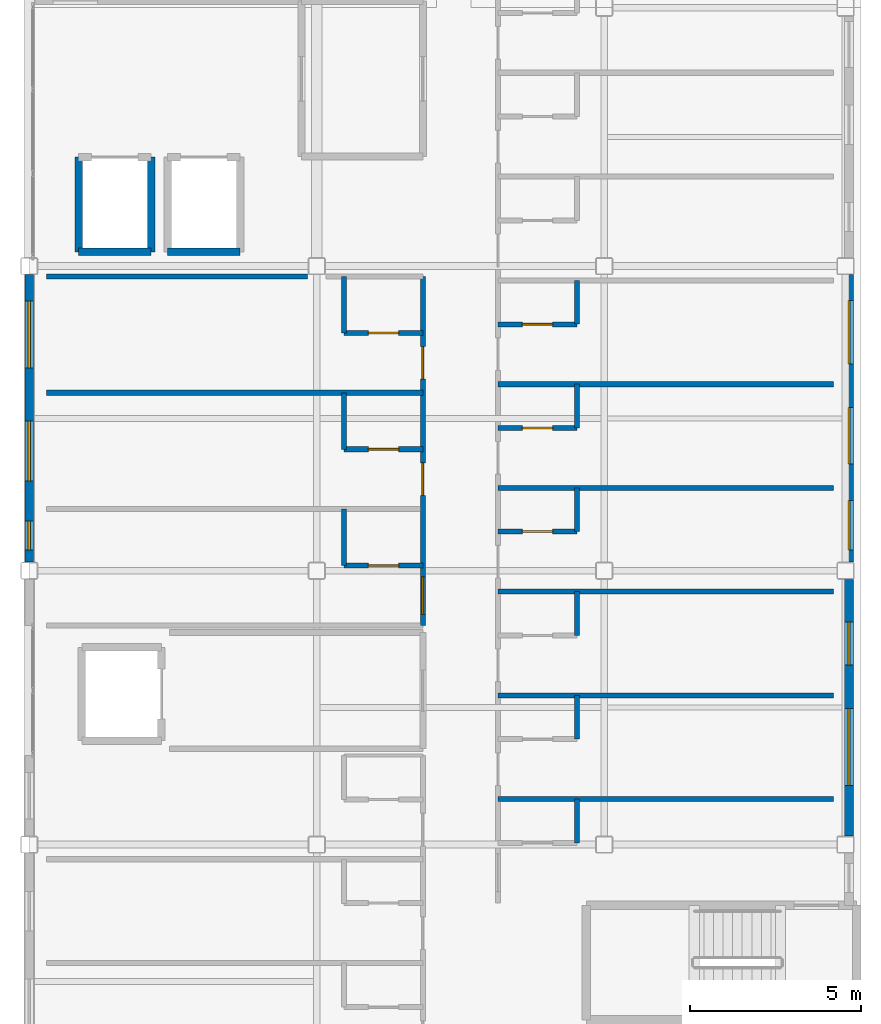
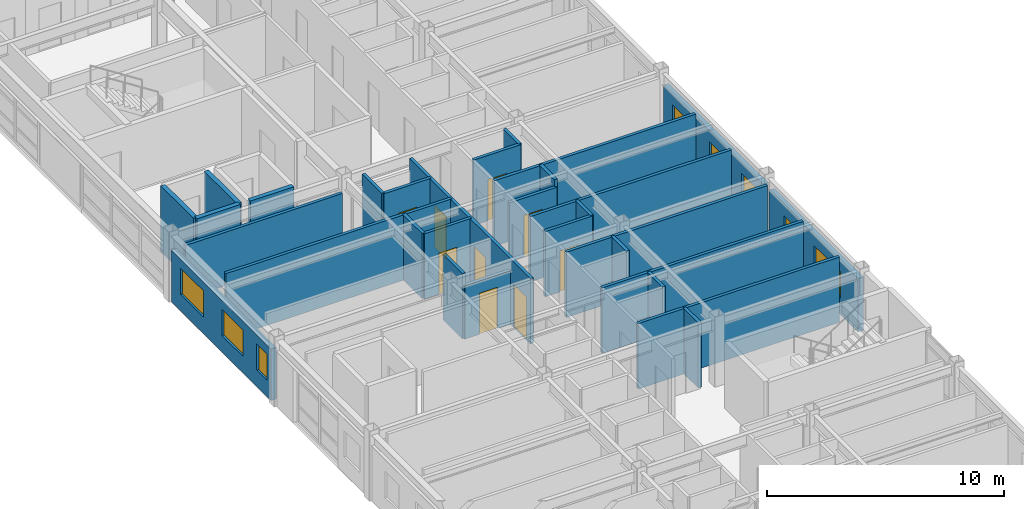
# One storey, part 25 of 33: 30 walls, 9 doors, 8 windows, 17 openings.
"""IFC4 building model written with IfcOpenShell, lengths in metres."""

import ifcopenshell
import ifcopenshell.guid

model = None  # the IFC model being written
_history = None  # IfcOwnerHistory: only IFC2X3 demands one
_inside = {}  # id of a spatial element -> (the spatial element, [elements in it])
_under = {}  # id of a project, library or spatial element -> (it, [spatial elements below it])
_declared = {}  # id of a project -> (the project, [libraries it declares])
_typed = {}  # id of a type object -> (the type object, [elements of that type])
_made_of = {}  # id of a material, layer set ... -> (it, [elements and type objects made of it])


def new_model(schema):
    """Start an empty IFC model of exactly this schema.

    Asked for "IFC4X3", IfcOpenShell would pick the latest addendum, in which some entities
    have other attributes; the version numbers below select the first issue.
    IFC2X3 requires an IfcOwnerHistory on every rooted entity: one is made here for all.
    """
    global model, _history
    if schema == "IFC4X3":
        model = ifcopenshell.file(schema_version=(4, 3, 0, 0))
    else:
        model = ifcopenshell.file(schema=schema)
    _inside.clear()
    _under.clear()
    _declared.clear()
    _typed.clear()
    _made_of.clear()
    _history = None
    if model.schema == "IFC2X3":
        org = make("IfcOrganization", Name="unknown")
        user = make(
            "IfcPersonAndOrganization",
            ThePerson=make("IfcPerson", FamilyName="unknown"),
            TheOrganization=org,
        )
        app = make(
            "IfcApplication",
            ApplicationDeveloper=org,
            Version="unknown",
            ApplicationFullName="unknown",
            ApplicationIdentifier="unknown",
        )
        _history = make(
            "IfcOwnerHistory",
            OwningUser=user,
            OwningApplication=app,
            ChangeAction="ADDED",
            CreationDate=0,
        )
    return model


def make(cls, **values):
    """One entity of the class cls with the attributes given. An attribute that is None is left unset."""
    return model.create_entity(
        cls, **{name: value for name, value in values.items() if value is not None}
    )


def rooted(cls, **values):
    """An entity with a GlobalId (a new one), such as an element, a storey or a relation."""
    return make(cls, GlobalId=ifcopenshell.guid.new(), OwnerHistory=_history, **values)


def si_unit(unit_type, name, prefix=None):
    """IfcSIUnit, for example si_unit("LENGTHUNIT", "METRE", prefix="MILLI")."""
    return make("IfcSIUnit", UnitType=unit_type, Prefix=prefix, Name=name)


def assignment(units):
    """IfcUnitAssignment: the units of a project."""
    return None if units is None else make("IfcUnitAssignment", Units=units)


def point(xyz):
    """IfcCartesianPoint."""
    return None if xyz is None else make("IfcCartesianPoint", Coordinates=xyz)


def direction(xyz):
    """IfcDirection."""
    return None if xyz is None else make("IfcDirection", DirectionRatios=xyz)


def frame(location, z_axis=None, x_axis=None):
    """IfcAxis2Placement3D, a coordinate frame: its origin and axes. An axis left out is left unset."""
    return make(
        "IfcAxis2Placement3D",
        Location=point(location),
        Axis=direction(z_axis),
        RefDirection=direction(x_axis),
    )


def frame_2d(location, x_axis=None):
    """IfcAxis2Placement2D, a coordinate frame in the plane: its origin and x axis."""
    return make(
        "IfcAxis2Placement2D", Location=point(location), RefDirection=direction(x_axis)
    )


def origin():
    """The frame at (0, 0, 0) with its axes left unset."""
    return frame((0.0, 0.0, 0.0))


def place(relative_to, where):
    """IfcLocalPlacement: puts the frame where relative to a parent placement (None: the world)."""
    return make(
        "IfcLocalPlacement", PlacementRelTo=relative_to, RelativePlacement=where
    )


def context(
    kind, dimensions, precision=None, world=None, true_north=None, identifier=None
):
    """IfcGeometricRepresentationContext, for example the 3D "Model" context."""
    return make(
        "IfcGeometricRepresentationContext",
        ContextIdentifier=identifier,
        ContextType=kind,
        CoordinateSpaceDimension=dimensions,
        Precision=precision,
        WorldCoordinateSystem=world,
        TrueNorth=true_north,
    )


def subcontext(parent, identifier, kind, view, scale=None):
    """IfcGeometricRepresentationSubContext, for example "Body" below "Model"."""
    return make(
        "IfcGeometricRepresentationSubContext",
        ContextIdentifier=identifier,
        ContextType=kind,
        ParentContext=parent,
        TargetScale=scale,
        TargetView=view,
    )


def project(units=None, contexts=None):
    """IfcProject with its units and contexts."""
    return rooted(
        "IfcProject",
        Name="project",
        RepresentationContexts=contexts,
        UnitsInContext=assignment(units),
    )


def spatial(cls, under=None, at=None, **own):
    """A site, building, storey or space (cls), placed at a placement, below another one or the project."""
    s = rooted(cls, ObjectPlacement=at, **own)
    if under is not None:
        _under.setdefault(under.id(), (under, []))[1].append(s)
    return s


def profile(cls, at=None, kind="AREA", **sizes):
    """A parametric profile (cls). Its sizes go by their IFC names, for example OverallWidth=200.0."""
    return make(cls, ProfileType=kind, Position=at, **sizes)


def rectangle(**sizes):
    """IfcRectangleProfileDef."""
    return profile("IfcRectangleProfileDef", **sizes)


def extrude(swept, where, along, depth):
    """IfcExtrudedAreaSolid: the profile swept, set in the frame where, extruded along a direction by depth."""
    return make(
        "IfcExtrudedAreaSolid",
        SweptArea=swept,
        Position=where,
        ExtrudedDirection=direction(along),
        Depth=depth,
    )


def shape(context_of_items, identifier, shape_type, items):
    """IfcShapeRepresentation: the items that make up one representation, for example the "Body"."""
    return make(
        "IfcShapeRepresentation",
        ContextOfItems=context_of_items,
        RepresentationIdentifier=identifier,
        RepresentationType=shape_type,
        Items=items,
    )


def material(Name=None, Category=None):
    """IfcMaterial."""
    return make("IfcMaterial", Name=Name, Category=Category)


def layer(
    of_material, thickness, ventilated=None, Name=None, Category=None, Priority=None
):
    """IfcMaterialLayer: one layer of a wall or slab, of a material (None: an air gap)."""
    return make(
        "IfcMaterialLayer",
        Material=of_material,
        LayerThickness=thickness,
        IsVentilated=ventilated,
        Name=Name,
        Category=Category,
        Priority=Priority,
    )


def layer_set(layers, Name=None):
    """IfcMaterialLayerSet."""
    return make("IfcMaterialLayerSet", MaterialLayers=layers, LayerSetName=Name)


def made_of(thing, what):
    """Note that an element or type object is made of a material, layer set ...; save() writes the relation."""
    if what is not None:
        _made_of.setdefault(what.id(), (what, []))[1].append(thing)
    return thing


def type_object(cls, material=None, **own):
    """A type object (cls), such as IfcWallType, which elements share."""
    return made_of(rooted(cls, **own), material)


def element(
    cls,
    number,
    at=None,
    inside=None,
    cuts=None,
    type_object=None,
    material=None,
    context=None,
    identifier="Body",
    shape_type=None,
    held_by="IfcProductDefinitionShape",
    body=None,
    shapes=None,
    **own,
):
    """One element of the class cls, such as IfcWall. Its Tag is "e" and its number.

    at: its placement. inside: the storey or other place that contains it. cuts: it is an
    opening in that element (IfcRelVoidsElement). A single representation is given by context,
    identifier, shape_type and body (its items); several are given by shapes. held_by: the class
    of the entity that holds the representations. save() writes the other relations.
    """
    e = rooted(cls, Tag="e%d" % number, ObjectPlacement=at, **own)
    if body is not None:
        shapes = [shape(context, identifier, shape_type, body)]
    if shapes is not None:
        e.Representation = make(held_by, Representations=shapes)
    if inside is not None:
        _inside.setdefault(inside.id(), (inside, []))[1].append(e)
    if cuts is not None:
        rooted(
            "IfcRelVoidsElement", RelatingBuildingElement=cuts, RelatedOpeningElement=e
        )
    if type_object is not None:
        _typed.setdefault(type_object.id(), (type_object, []))[1].append(e)
    return made_of(e, material)


def fill(opening, filler):
    """IfcRelFillsElement: the door or window that sits in an opening."""
    return rooted(
        "IfcRelFillsElement",
        RelatingOpeningElement=opening,
        RelatedBuildingElement=filler,
    )


def aggregate(whole, parts):
    """IfcRelAggregates: a whole, such as a stair, and the parts it consists of."""
    return rooted("IfcRelAggregates", RelatingObject=whole, RelatedObjects=parts)


def save(model, path):
    """Write the relations noted so far, then the file.

    IfcRelAggregates (storeys below a building ...), IfcRelContainedInSpatialStructure (elements
    in a storey), IfcRelDefinesByType, IfcRelAssociatesMaterial and IfcRelDeclares: one each for
    every whole, place, type object, material and project.
    """
    for whole, parts in _under.values():
        aggregate(whole, parts)
    for where, things in _inside.values():
        rooted(
            "IfcRelContainedInSpatialStructure",
            RelatedElements=things,
            RelatingStructure=where,
        )
    for kind, things in _typed.values():
        rooted("IfcRelDefinesByType", RelatedObjects=things, RelatingType=kind)
    for what, things in _made_of.values():
        rooted("IfcRelAssociatesMaterial", RelatedObjects=things, RelatingMaterial=what)
    for by, libraries in _declared.values():
        rooted("IfcRelDeclares", RelatingContext=by, RelatedDefinitions=libraries)
    model.write(path)


model = new_model("IFC4")

# Units and contexts
model_context = context("Model", 3, precision=1e-05, world=origin(), true_north=direction((0.0, 1.0)))
body_context = subcontext(model_context, "Body", "Model", "MODEL_VIEW")
ifc_project = project(units=[si_unit("LENGTHUNIT", "METRE"), si_unit("AREAUNIT", "SQUARE_METRE"), si_unit("VOLUMEUNIT", "CUBIC_METRE"), si_unit("PLANEANGLEUNIT", "RADIAN"), si_unit("MASSUNIT", "GRAM", prefix="KILO")], contexts=[model_context])

# Site, building, storey
site_placement = place(None, origin())
site = spatial("IfcSite", under=ifc_project, at=site_placement, CompositionType="ELEMENT")
building_placement = place(site_placement, origin())
building = spatial("IfcBuilding", under=site, at=building_placement, Name="Kazehara Bluff Congress Hotel", CompositionType="ELEMENT")
storey_placement = place(building_placement, frame((0.0, 0.0, 39.0)))
storey = spatial("IfcBuildingStorey", under=building, at=storey_placement, Name="L09", CompositionType="ELEMENT", Elevation=39.0)

# Wall, openings, windows
ifc_material_1 = material(Name="Precast concrete C40/50", Category="concrete")
ifc_layer_1 = layer(ifc_material_1, 0.260009765625)
ifc_layer_set_1 = layer_set([ifc_layer_1], Name="Precast concrete C40/50")
wall_type_1 = type_object("IfcWallType", Name="TP-EW-260", PredefinedType="SOLIDWALL", material=ifc_layer_set_1)
wall_1_placement = place(storey_placement, frame((167.64990234375, 31.75, 0.0), z_axis=(0.0, 0.0, 1.0), x_axis=(0.0, -1.0, 0.0)))
wall_1 = element("IfcWall", 1, at=wall_1_placement, inside=storey, type_object=wall_type_1, Name="L09 hotel facade panel 132", PredefinedType="SOLIDWALL", context=body_context, shape_type="SweptSolid", body=[
    extrude(rectangle(XDim=7.5, YDim=0.260009765625, at=frame_2d((3.75, 0.0))), origin(), (0.0, 0.0, 1.0), 2.7548828125),
])
opening_1_placement = place(wall_1_placement, frame((3.780029296875, 0.0, 0.85009765625)))
opening_1 = element("IfcOpeningElement", 2, at=opening_1_placement, cuts=wall_1, Name="Opening WN-51", PredefinedType="OPENING", context=body_context, shape_type="SweptSolid", body=[
    extrude(rectangle(XDim=2.25, YDim=1.35009765625, at=frame_2d((1.125, 0.675048828125))), frame((0.0, 0.139892578125, 0.0), z_axis=(0.0, -1.0, 0.0), x_axis=(1.0, 0.0, 0.0)), (0.0, 0.0, 1.0), 0.280029296875),
])
opening_2_placement = place(wall_1_placement, frame((1.25, 0.0, 0.85009765625)))
opening_2 = element("IfcOpeningElement", 3, at=opening_2_placement, cuts=wall_1, Name="Opening WN-06", PredefinedType="OPENING", context=body_context, shape_type="SweptSolid", body=[
    extrude(rectangle(XDim=1.25, YDim=1.35009765625, at=frame_2d((0.625, 0.675048828125))), frame((0.0, 0.139892578125, 0.0), z_axis=(0.0, -1.0, 0.0), x_axis=(1.0, 0.0, 0.0)), (0.0, 0.0, 1.0), 0.280029296875),
])
ifc_material_2 = material(Name="Insulated low-E double glazing", Category="glass")
window_type_1 = type_object("IfcWindowType", Name="TP-WN-06", PartitioningType="SINGLE_PANEL", PredefinedType="WINDOW", material=ifc_material_2)
window_1_placement = place(opening_2_placement, origin())
window_1 = element("IfcWindow", 4, at=window_1_placement, inside=storey, type_object=window_type_1, Name="L09 guestroom window WN-06 258", OverallHeight=1.35009765625, OverallWidth=1.25, PartitioningType="SINGLE_PANEL", PredefinedType="WINDOW", context=body_context, shape_type="SweptSolid", body=[
    extrude(rectangle(XDim=1.25, YDim=1.35009765625, at=frame_2d((0.625, 0.675048828125))), frame((0.0, 0.030029296875, 0.0), z_axis=(0.0, -1.0, 0.0), x_axis=(1.0, 0.0, 0.0)), (0.0, 0.0, 1.0), 0.06005859375),
])
fill(opening_2, window_1)
ifc_material_3 = material(Name="Insulated low-E double glazing", Category="glass")
window_type_2 = type_object("IfcWindowType", Name="TP-WN-51", PartitioningType="DOUBLE_PANEL_VERTICAL", PredefinedType="WINDOW", material=ifc_material_3)
window_2_placement = place(opening_1_placement, origin())
window_2 = element("IfcWindow", 5, at=window_2_placement, inside=storey, type_object=window_type_2, Name="L09 guestroom window WN-51 257", OverallHeight=1.35009765625, OverallWidth=2.25, PartitioningType="SINGLE_PANEL", PredefinedType="WINDOW", context=body_context, shape_type="SweptSolid", body=[
    extrude(rectangle(XDim=2.25, YDim=1.35009765625, at=frame_2d((1.125, 0.675048828125))), frame((0.0, 0.030029296875, 0.0), z_axis=(0.0, -1.0, 0.0), x_axis=(1.0, 0.0, 0.0)), (0.0, 0.0, 1.0), 0.06005859375),
])
fill(opening_1, window_2)

wall_2_placement = place(storey_placement, frame((167.64990234375, 40.64990234375, 0.0), z_axis=(0.0, 0.0, 1.0), x_axis=(0.0, -1.0, 0.0)))
wall_2 = element("IfcWall", 6, at=wall_2_placement, inside=storey, type_object=wall_type_1, Name="L09 hotel facade panel 133", PredefinedType="SOLIDWALL", context=body_context, shape_type="SweptSolid", body=[
    extrude(rectangle(XDim=8.39990234375, YDim=0.260009765625, at=frame_2d((4.199951171875, 0.0))), origin(), (0.0, 0.0, 1.0), 2.7548828125),
])
opening_3_placement = place(wall_2_placement, frame((6.590087890625, 0.0, 0.85009765625)))
opening_3 = element("IfcOpeningElement", 7, at=opening_3_placement, cuts=wall_2, Name="Opening WN-16", PredefinedType="OPENING", context=body_context, shape_type="SweptSolid", body=[
    extrude(rectangle(XDim=1.449951171875, YDim=1.35009765625, at=frame_2d((0.72509765625, 0.675048828125))), frame((0.0, 0.139892578125, 0.0), z_axis=(0.0, -1.0, 0.0), x_axis=(1.0, 0.0, 0.0)), (0.0, 0.0, 1.0), 0.280029296875),
])
opening_4_placement = place(wall_2_placement, frame((3.885009765625, 0.0, 0.85009765625)))
opening_4 = element("IfcOpeningElement", 8, at=opening_4_placement, cuts=wall_2, Name="Opening WN-26", PredefinedType="OPENING", context=body_context, shape_type="SweptSolid", body=[
    extrude(rectangle(XDim=1.64990234375, YDim=1.35009765625, at=frame_2d((0.824951171875, 0.675048828125))), frame((0.0, 0.139892578125, 0.0), z_axis=(0.0, -1.0, 0.0), x_axis=(1.0, 0.0, 0.0)), (0.0, 0.0, 1.0), 0.280029296875),
])
opening_5_placement = place(wall_2_placement, frame((0.7548828125, 0.0, 0.85009765625)))
opening_5 = element("IfcOpeningElement", 9, at=opening_5_placement, cuts=wall_2, Name="Opening WN-36", PredefinedType="OPENING", context=body_context, shape_type="SweptSolid", body=[
    extrude(rectangle(XDim=1.85009765625, YDim=1.35009765625, at=frame_2d((0.925048828125, 0.675048828125))), frame((0.0, 0.139892578125, 0.0), z_axis=(0.0, -1.0, 0.0), x_axis=(1.0, 0.0, 0.0)), (0.0, 0.0, 1.0), 0.280029296875),
])
ifc_material_4 = material(Name="Insulated low-E double glazing", Category="glass")
window_type_3 = type_object("IfcWindowType", Name="TP-WN-16", PartitioningType="SINGLE_PANEL", PredefinedType="WINDOW", material=ifc_material_4)
window_3_placement = place(opening_3_placement, origin())
window_3 = element("IfcWindow", 10, at=window_3_placement, inside=storey, type_object=window_type_3, Name="L09 guestroom window WN-16 259", OverallHeight=1.35009765625, OverallWidth=1.449951171875, PartitioningType="SINGLE_PANEL", PredefinedType="WINDOW", context=body_context, shape_type="SweptSolid", body=[
    extrude(rectangle(XDim=1.449951171875, YDim=1.35009765625, at=frame_2d((0.72509765625, 0.675048828125))), frame((0.0, 0.030029296875, 0.0), z_axis=(0.0, -1.0, 0.0), x_axis=(1.0, 0.0, 0.0)), (0.0, 0.0, 1.0), 0.06005859375),
])
fill(opening_3, window_3)
ifc_material_5 = material(Name="Insulated low-E double glazing", Category="glass")
window_type_4 = type_object("IfcWindowType", Name="TP-WN-26", PartitioningType="SINGLE_PANEL", PredefinedType="WINDOW", material=ifc_material_5)
window_4_placement = place(opening_4_placement, origin())
window_4 = element("IfcWindow", 11, at=window_4_placement, inside=storey, type_object=window_type_4, Name="L09 guestroom window WN-26 260", OverallHeight=1.35009765625, OverallWidth=1.64990234375, PartitioningType="SINGLE_PANEL", PredefinedType="WINDOW", context=body_context, shape_type="SweptSolid", body=[
    extrude(rectangle(XDim=1.64990234375, YDim=1.35009765625, at=frame_2d((0.824951171875, 0.675048828125))), frame((0.0, 0.030029296875, 0.0), z_axis=(0.0, -1.0, 0.0), x_axis=(1.0, 0.0, 0.0)), (0.0, 0.0, 1.0), 0.06005859375),
])
fill(opening_4, window_4)
ifc_material_6 = material(Name="Insulated low-E double glazing", Category="glass")
window_type_5 = type_object("IfcWindowType", Name="TP-WN-36", PartitioningType="DOUBLE_PANEL_VERTICAL", PredefinedType="WINDOW", material=ifc_material_6)
window_5_placement = place(opening_5_placement, origin())
window_5 = element("IfcWindow", 12, at=window_5_placement, inside=storey, type_object=window_type_5, Name="L09 guestroom window WN-36 261", OverallHeight=1.35009765625, OverallWidth=1.85009765625, PartitioningType="SINGLE_PANEL", PredefinedType="WINDOW", context=body_context, shape_type="SweptSolid", body=[
    extrude(rectangle(XDim=1.85009765625, YDim=1.35009765625, at=frame_2d((0.925048828125, 0.675048828125))), frame((0.0, 0.030029296875, 0.0), z_axis=(0.0, -1.0, 0.0), x_axis=(1.0, 0.0, 0.0)), (0.0, 0.0, 1.0), 0.06005859375),
])
fill(opening_5, window_5)

wall_3_placement = place(storey_placement, frame((143.699951171875, 32.25, 0.0), z_axis=(0.0, 0.0, 1.0), x_axis=(0.0, 1.0, 0.0)))
wall_3 = element("IfcWall", 13, at=wall_3_placement, inside=storey, type_object=wall_type_1, Name="L09 hotel facade panel 144", PredefinedType="SOLIDWALL", context=body_context, shape_type="SweptSolid", body=[
    extrude(rectangle(XDim=8.39990234375, YDim=0.260009765625, at=frame_2d((4.199951171875, 0.0))), origin(), (0.0, 0.0, 1.0), 2.655029296875),
])
opening_6_placement = place(wall_3_placement, frame((0.35009765625, 0.0, 0.85009765625)))
opening_6 = element("IfcOpeningElement", 14, at=opening_6_placement, cuts=wall_3, Name="Opening WN-55", PredefinedType="OPENING", context=body_context, shape_type="SweptSolid", body=[
    extrude(rectangle(XDim=0.85009765625, YDim=1.35009765625, at=frame_2d((0.425048828125, 0.675048828125))), frame((0.0, 0.139892578125, 0.0), z_axis=(0.0, -1.0, 0.0), x_axis=(1.0, 0.0, 0.0)), (0.0, 0.0, 1.0), 0.280029296875),
])
opening_7_placement = place(wall_3_placement, frame((2.375, 0.0, 0.85009765625)))
opening_7 = element("IfcOpeningElement", 15, at=opening_7_placement, cuts=wall_3, Name="Opening WN-31", PredefinedType="OPENING", context=body_context, shape_type="SweptSolid", body=[
    extrude(rectangle(XDim=1.75, YDim=1.35009765625, at=frame_2d((0.875, 0.675048828125))), frame((0.0, 0.139892578125, 0.0), z_axis=(0.0, -1.0, 0.0), x_axis=(1.0, 0.0, 0.0)), (0.0, 0.0, 1.0), 0.280029296875),
])
opening_8_placement = place(wall_3_placement, frame((5.675048828125, 0.0, 0.85009765625)))
opening_8 = element("IfcOpeningElement", 16, at=opening_8_placement, cuts=wall_3, Name="Opening WN-41", PredefinedType="OPENING", context=body_context, shape_type="SweptSolid", body=[
    extrude(rectangle(XDim=1.949951171875, YDim=1.35009765625, at=frame_2d((0.97509765625, 0.675048828125))), frame((0.0, 0.139892578125, 0.0), z_axis=(0.0, -1.0, 0.0), x_axis=(1.0, 0.0, 0.0)), (0.0, 0.0, 1.0), 0.280029296875),
])
ifc_material_7 = material(Name="Insulated low-E double glazing", Category="glass")
window_type_6 = type_object("IfcWindowType", Name="TP-WN-31", PartitioningType="SINGLE_PANEL", PredefinedType="WINDOW", material=ifc_material_7)
window_6_placement = place(opening_7_placement, origin())
window_6 = element("IfcWindow", 17, at=window_6_placement, inside=storey, type_object=window_type_6, Name="L09 guestroom window WN-31 281", OverallHeight=1.35009765625, OverallWidth=1.75, PartitioningType="SINGLE_PANEL", PredefinedType="WINDOW", context=body_context, shape_type="SweptSolid", body=[
    extrude(rectangle(XDim=1.75, YDim=1.35009765625, at=frame_2d((0.875, 0.675048828125))), frame((0.0, 0.030029296875, 0.0), z_axis=(0.0, -1.0, 0.0), x_axis=(1.0, 0.0, 0.0)), (0.0, 0.0, 1.0), 0.06005859375),
])
fill(opening_7, window_6)
ifc_material_8 = material(Name="Insulated low-E double glazing", Category="glass")
window_type_7 = type_object("IfcWindowType", Name="TP-WN-41", PartitioningType="DOUBLE_PANEL_VERTICAL", PredefinedType="WINDOW", material=ifc_material_8)
window_7_placement = place(opening_8_placement, origin())
window_7 = element("IfcWindow", 18, at=window_7_placement, inside=storey, type_object=window_type_7, Name="L09 guestroom window WN-41 282", OverallHeight=1.35009765625, OverallWidth=1.949951171875, PartitioningType="SINGLE_PANEL", PredefinedType="WINDOW", context=body_context, shape_type="SweptSolid", body=[
    extrude(rectangle(XDim=1.949951171875, YDim=1.35009765625, at=frame_2d((0.97509765625, 0.675048828125))), frame((0.0, 0.030029296875, 0.0), z_axis=(0.0, -1.0, 0.0), x_axis=(1.0, 0.0, 0.0)), (0.0, 0.0, 1.0), 0.06005859375),
])
fill(opening_8, window_7)
ifc_material_9 = material(Name="Insulated low-E double glazing", Category="glass")
window_type_8 = type_object("IfcWindowType", Name="TP-WN-55", PartitioningType="SINGLE_PANEL", PredefinedType="WINDOW", material=ifc_material_9)
window_8_placement = place(opening_6_placement, origin())
window_8 = element("IfcWindow", 19, at=window_8_placement, inside=storey, type_object=window_type_8, Name="L09 guestroom window WN-55 280", OverallHeight=1.35009765625, OverallWidth=0.85009765625, PartitioningType="SINGLE_PANEL", PredefinedType="WINDOW", context=body_context, shape_type="SweptSolid", body=[
    extrude(rectangle(XDim=0.85009765625, YDim=1.35009765625, at=frame_2d((0.425048828125, 0.675048828125))), frame((0.0, 0.030029296875, 0.0), z_axis=(0.0, -1.0, 0.0), x_axis=(1.0, 0.0, 0.0)), (0.0, 0.0, 1.0), 0.06005859375),
])
fill(opening_6, window_8)

# Walls
ifc_material_10 = material(Name="Fire-rated gypsum board stud partition")
ifc_layer_2 = layer(ifc_material_10, 0.14990234375)
ifc_layer_set_2 = layer_set([ifc_layer_2], Name="Fire-rated gypsum board stud partition")
wall_type_2 = type_object("IfcWallType", Name="TP-PT-150", PredefinedType="PARTITIONING", material=ifc_layer_set_2)
for number, where, z_axis, x_axis, name in (
    (20, (157.39990234375, 25.330078125, 0.0), (0.0, 0.0, 1.0), (1.0, 0.0, 0.0), "L09 partition PT-150 1184"),
    (21, (157.39990234375, 28.360107421875, 0.0), (0.0, 0.0, 1.0), (1.0, 0.0, 0.0), "L09 partition PT-150 1188"),
    (22, (157.39990234375, 31.389892578125, 0.0), (0.0, 0.0, 1.0), (1.0, 0.0, 0.0), "L09 partition PT-150 1192"),
):
    element("IfcWall", number, at=place(storey_placement, frame(where, z_axis=z_axis, x_axis=x_axis)), inside=storey, type_object=wall_type_2, Name=name, PredefinedType="PARTITIONING", context=body_context, shape_type="SweptSolid", body=[
        extrude(rectangle(XDim=9.800048828125, YDim=0.14990234375, at=frame_2d((4.89990234375, 0.0))), origin(), (0.0, 0.0, 1.0), 3.364990234375),
    ])

# Wall, opening, door
wall_4_placement = place(storey_placement, frame((152.89990234375, 32.14990234375, 0.0), z_axis=(0.0, 0.0, 1.0), x_axis=(1.0, 0.0, 0.0)))
wall_4 = element("IfcWall", 23, at=wall_4_placement, inside=storey, type_object=wall_type_2, Name="L09 partition PT-150 1193", PredefinedType="PARTITIONING", context=body_context, shape_type="SweptSolid", body=[
    extrude(rectangle(XDim=2.300048828125, YDim=0.14990234375, at=frame_2d((1.14990234375, 0.0))), origin(), (0.0, 0.0, 1.0), 2.7548828125),
])
opening_9_placement = place(wall_4_placement, frame((0.7099609375, 0.0, 0.0)))
opening_9 = element("IfcOpeningElement", 24, at=opening_9_placement, cuts=wall_4, Name="Opening BD-02", PredefinedType="OPENING", context=body_context, shape_type="SweptSolid", body=[
    extrude(rectangle(XDim=0.8798828125, YDim=2.1201171875, at=frame_2d((0.43994140625, 1.06005859375))), frame((0.0, 0.0849609375, 0.0), z_axis=(0.0, -1.0, 0.0), x_axis=(1.0, 0.0, 0.0)), (0.0, 0.0, 1.0), 0.169921875),
])
ifc_material_11 = material(Name="Architectural oak veneer leaf")
door_type_1 = type_object("IfcDoorType", Name="TP-BD-02", OperationType="NOTDEFINED", PredefinedType="DOOR", material=ifc_material_11)
door_1_placement = place(opening_9_placement, origin())
door_1 = element("IfcDoor", 25, at=door_1_placement, inside=storey, type_object=door_type_1, Name="L09 En-suite Bathroom 259 door", OperationType="SINGLE_SWING_RIGHT", OverallHeight=2.1201171875, OverallWidth=0.8798828125, PredefinedType="DOOR", context=body_context, shape_type="SweptSolid", body=[
    extrude(rectangle(XDim=0.8798828125, YDim=2.1201171875, at=frame_2d((0.43994140625, 1.06005859375))), frame((0.0, 0.02490234375, 0.0), z_axis=(0.0, -1.0, 0.0), x_axis=(1.0, 0.0, 0.0)), (0.0, 0.0, 1.0), 0.050048828125),
])
fill(opening_9, door_1)

wall_5_placement = place(storey_placement, frame((157.39990234375, 33.14990234375, 0.0), z_axis=(0.0, 0.0, 1.0), x_axis=(1.0, 0.0, 0.0)))
wall_5 = element("IfcWall", 26, at=wall_5_placement, inside=storey, type_object=wall_type_2, Name="L09 partition PT-150 1194", PredefinedType="PARTITIONING", context=body_context, shape_type="SweptSolid", body=[
    extrude(rectangle(XDim=2.300048828125, YDim=0.14990234375, at=frame_2d((1.14990234375, 0.0))), origin(), (0.0, 0.0, 1.0), 3.364990234375),
])
opening_10_placement = place(wall_5_placement, frame((0.7099609375, 0.0, 0.0)))
opening_10 = element("IfcOpeningElement", 27, at=opening_10_placement, cuts=wall_5, Name="Opening BD-02", PredefinedType="OPENING", context=body_context, shape_type="SweptSolid", body=[
    extrude(rectangle(XDim=0.8798828125, YDim=2.1201171875, at=frame_2d((0.43994140625, 1.06005859375))), frame((0.0, 0.0849609375, 0.0), z_axis=(0.0, -1.0, 0.0), x_axis=(1.0, 0.0, 0.0)), (0.0, 0.0, 1.0), 0.169921875),
])
door_2_placement = place(opening_10_placement, origin())
door_2 = element("IfcDoor", 28, at=door_2_placement, inside=storey, type_object=door_type_1, Name="L09 En-suite Bathroom 280 door", OperationType="SINGLE_SWING_RIGHT", OverallHeight=2.1201171875, OverallWidth=0.8798828125, PredefinedType="DOOR", context=body_context, shape_type="SweptSolid", body=[
    extrude(rectangle(XDim=0.8798828125, YDim=2.1201171875, at=frame_2d((0.43994140625, 1.06005859375))), frame((0.0, 0.02490234375, 0.0), z_axis=(0.0, -1.0, 0.0), x_axis=(1.0, 0.0, 0.0)), (0.0, 0.0, 1.0), 0.050048828125),
])
fill(opening_10, door_2)

# Wall
wall_6_placement = place(storey_placement, frame((157.39990234375, 34.419921875, 0.0), z_axis=(0.0, 0.0, 1.0), x_axis=(1.0, 0.0, 0.0)))
element("IfcWall", 29, at=wall_6_placement, inside=storey, type_object=wall_type_2, Name="L09 partition PT-150 1196", PredefinedType="PARTITIONING", context=body_context, shape_type="SweptSolid", body=[
    extrude(rectangle(XDim=9.800048828125, YDim=0.14990234375, at=frame_2d((4.89990234375, 0.0))), origin(), (0.0, 0.0, 1.0), 3.364990234375),
])

# Wall, opening, door
wall_7_placement = place(storey_placement, frame((152.89990234375, 35.550048828125, 0.0), z_axis=(0.0, 0.0, 1.0), x_axis=(1.0, 0.0, 0.0)))
wall_7 = element("IfcWall", 30, at=wall_7_placement, inside=storey, type_object=wall_type_2, Name="L09 partition PT-150 1197", PredefinedType="PARTITIONING", context=body_context, shape_type="SweptSolid", body=[
    extrude(rectangle(XDim=2.300048828125, YDim=0.14990234375, at=frame_2d((1.14990234375, 0.0))), origin(), (0.0, 0.0, 1.0), 3.364990234375),
])
opening_11_placement = place(wall_7_placement, frame((0.7099609375, 0.0, 0.0)))
opening_11 = element("IfcOpeningElement", 31, at=opening_11_placement, cuts=wall_7, Name="Opening BD-02", PredefinedType="OPENING", context=body_context, shape_type="SweptSolid", body=[
    extrude(rectangle(XDim=0.8798828125, YDim=2.1201171875, at=frame_2d((0.43994140625, 1.06005859375))), frame((0.0, 0.0849609375, 0.0), z_axis=(0.0, -1.0, 0.0), x_axis=(1.0, 0.0, 0.0)), (0.0, 0.0, 1.0), 0.169921875),
])
door_3_placement = place(opening_11_placement, origin())
door_3 = element("IfcDoor", 32, at=door_3_placement, inside=storey, type_object=door_type_1, Name="L09 En-suite Bathroom 260 door", OperationType="SINGLE_SWING_RIGHT", OverallHeight=2.1201171875, OverallWidth=0.8798828125, PredefinedType="DOOR", context=body_context, shape_type="SweptSolid", body=[
    extrude(rectangle(XDim=0.8798828125, YDim=2.1201171875, at=frame_2d((0.43994140625, 1.06005859375))), frame((0.0, 0.02490234375, 0.0), z_axis=(0.0, -1.0, 0.0), x_axis=(1.0, 0.0, 0.0)), (0.0, 0.0, 1.0), 0.050048828125),
])
fill(opening_11, door_3)

wall_8_placement = place(storey_placement, frame((157.39990234375, 36.169921875, 0.0), z_axis=(0.0, 0.0, 1.0), x_axis=(1.0, 0.0, 0.0)))
wall_8 = element("IfcWall", 33, at=wall_8_placement, inside=storey, type_object=wall_type_2, Name="L09 partition PT-150 1198", PredefinedType="PARTITIONING", context=body_context, shape_type="SweptSolid", body=[
    extrude(rectangle(XDim=2.300048828125, YDim=0.14990234375, at=frame_2d((1.14990234375, 0.0))), origin(), (0.0, 0.0, 1.0), 3.0048828125),
])
opening_12_placement = place(wall_8_placement, frame((0.7099609375, 0.0, 0.0)))
opening_12 = element("IfcOpeningElement", 34, at=opening_12_placement, cuts=wall_8, Name="Opening BD-02", PredefinedType="OPENING", context=body_context, shape_type="SweptSolid", body=[
    extrude(rectangle(XDim=0.8798828125, YDim=2.1201171875, at=frame_2d((0.43994140625, 1.06005859375))), frame((0.0, 0.0849609375, 0.0), z_axis=(0.0, -1.0, 0.0), x_axis=(1.0, 0.0, 0.0)), (0.0, 0.0, 1.0), 0.169921875),
])
door_4_placement = place(opening_12_placement, origin())
door_4 = element("IfcDoor", 35, at=door_4_placement, inside=storey, type_object=door_type_1, Name="L09 En-suite Bathroom 281 door", OperationType="SINGLE_SWING_RIGHT", OverallHeight=2.1201171875, OverallWidth=0.8798828125, PredefinedType="DOOR", context=body_context, shape_type="SweptSolid", body=[
    extrude(rectangle(XDim=0.8798828125, YDim=2.1201171875, at=frame_2d((0.43994140625, 1.06005859375))), frame((0.0, 0.02490234375, 0.0), z_axis=(0.0, -1.0, 0.0), x_axis=(1.0, 0.0, 0.0)), (0.0, 0.0, 1.0), 0.050048828125),
])
fill(opening_12, door_4)

# Walls
wall_9_placement = place(storey_placement, frame((144.199951171875, 37.199951171875, 0.0), z_axis=(0.0, 0.0, 1.0), x_axis=(1.0, 0.0, 0.0)))
element("IfcWall", 36, at=wall_9_placement, inside=storey, type_object=wall_type_2, Name="L09 partition PT-150 1199", PredefinedType="PARTITIONING", context=body_context, shape_type="SweptSolid", body=[
    extrude(rectangle(XDim=11.0, YDim=0.14990234375, at=frame_2d((5.5, 0.0))), origin(), (0.0, 0.0, 1.0), 3.364990234375),
])
wall_10_placement = place(storey_placement, frame((157.39990234375, 37.449951171875, 0.0), z_axis=(0.0, 0.0, 1.0), x_axis=(1.0, 0.0, 0.0)))
element("IfcWall", 37, at=wall_10_placement, inside=storey, type_object=wall_type_2, Name="L09 partition PT-150 1200", PredefinedType="PARTITIONING", context=body_context, shape_type="SweptSolid", body=[
    extrude(rectangle(XDim=9.800048828125, YDim=0.14990234375, at=frame_2d((4.89990234375, 0.0))), origin(), (0.0, 0.0, 1.0), 3.364990234375),
])

# Wall, opening, door
wall_11_placement = place(storey_placement, frame((152.89990234375, 38.949951171875, 0.0), z_axis=(0.0, 0.0, 1.0), x_axis=(1.0, 0.0, 0.0)))
wall_11 = element("IfcWall", 38, at=wall_11_placement, inside=storey, type_object=wall_type_2, Name="L09 partition PT-150 1201", PredefinedType="PARTITIONING", context=body_context, shape_type="SweptSolid", body=[
    extrude(rectangle(XDim=2.300048828125, YDim=0.14990234375, at=frame_2d((1.14990234375, 0.0))), origin(), (0.0, 0.0, 1.0), 3.364990234375),
])
opening_13_placement = place(wall_11_placement, frame((0.7099609375, 0.0, 0.0)))
opening_13 = element("IfcOpeningElement", 39, at=opening_13_placement, cuts=wall_11, Name="Opening BD-02", PredefinedType="OPENING", context=body_context, shape_type="SweptSolid", body=[
    extrude(rectangle(XDim=0.8798828125, YDim=2.1201171875, at=frame_2d((0.43994140625, 1.06005859375))), frame((0.0, 0.0849609375, 0.0), z_axis=(0.0, -1.0, 0.0), x_axis=(1.0, 0.0, 0.0)), (0.0, 0.0, 1.0), 0.169921875),
])
door_5_placement = place(opening_13_placement, origin())
door_5 = element("IfcDoor", 40, at=door_5_placement, inside=storey, type_object=door_type_1, Name="L09 En-suite Bathroom 261 door", OperationType="SINGLE_SWING_RIGHT", OverallHeight=2.1201171875, OverallWidth=0.8798828125, PredefinedType="DOOR", context=body_context, shape_type="SweptSolid", body=[
    extrude(rectangle(XDim=0.8798828125, YDim=2.1201171875, at=frame_2d((0.43994140625, 1.06005859375))), frame((0.0, 0.02490234375, 0.0), z_axis=(0.0, -1.0, 0.0), x_axis=(1.0, 0.0, 0.0)), (0.0, 0.0, 1.0), 0.050048828125),
])
fill(opening_13, door_5)

wall_12_placement = place(storey_placement, frame((157.39990234375, 39.199951171875, 0.0), z_axis=(0.0, 0.0, 1.0), x_axis=(1.0, 0.0, 0.0)))
wall_12 = element("IfcWall", 41, at=wall_12_placement, inside=storey, type_object=wall_type_2, Name="L09 partition PT-150 1202", PredefinedType="PARTITIONING", context=body_context, shape_type="SweptSolid", body=[
    extrude(rectangle(XDim=2.300048828125, YDim=0.14990234375, at=frame_2d((1.14990234375, 0.0))), origin(), (0.0, 0.0, 1.0), 3.364990234375),
])
opening_14_placement = place(wall_12_placement, frame((0.7099609375, 0.0, 0.0)))
opening_14 = element("IfcOpeningElement", 42, at=opening_14_placement, cuts=wall_12, Name="Opening BD-02", PredefinedType="OPENING", context=body_context, shape_type="SweptSolid", body=[
    extrude(rectangle(XDim=0.8798828125, YDim=2.1201171875, at=frame_2d((0.43994140625, 1.06005859375))), frame((0.0, 0.0849609375, 0.0), z_axis=(0.0, -1.0, 0.0), x_axis=(1.0, 0.0, 0.0)), (0.0, 0.0, 1.0), 0.169921875),
])
door_6_placement = place(opening_14_placement, origin())
door_6 = element("IfcDoor", 43, at=door_6_placement, inside=storey, type_object=door_type_1, Name="L09 En-suite Bathroom 282 door", OperationType="SINGLE_SWING_RIGHT", OverallHeight=2.1201171875, OverallWidth=0.8798828125, PredefinedType="DOOR", context=body_context, shape_type="SweptSolid", body=[
    extrude(rectangle(XDim=0.8798828125, YDim=2.1201171875, at=frame_2d((0.43994140625, 1.06005859375))), frame((0.0, 0.02490234375, 0.0), z_axis=(0.0, -1.0, 0.0), x_axis=(1.0, 0.0, 0.0)), (0.0, 0.0, 1.0), 0.050048828125),
])
fill(opening_14, door_6)

# Walls
wall_13_placement = place(storey_placement, frame((144.199951171875, 40.60009765625, 0.0), z_axis=(0.0, 0.0, 1.0), x_axis=(1.0, 0.0, 0.0)))
element("IfcWall", 44, at=wall_13_placement, inside=storey, type_object=wall_type_2, Name="L09 partition PT-150 1204", PredefinedType="PARTITIONING", context=body_context, shape_type="SweptSolid", body=[
    extrude(rectangle(XDim=7.630126953125, YDim=0.14990234375, at=frame_2d((3.81494140625, 0.0))), origin(), (0.0, 0.0, 1.0), 2.7548828125),
])
wall_14_placement = place(storey_placement, frame((152.89990234375, 32.14990234375, 0.0), z_axis=(0.0, 0.0, 1.0), x_axis=(0.0, 1.0, 0.0)))
element("IfcWall", 45, at=wall_14_placement, inside=storey, type_object=wall_type_2, Name="L09 partition PT-150 1269", PredefinedType="PARTITIONING", context=body_context, shape_type="SweptSolid", body=[
    extrude(rectangle(XDim=1.650146484375, YDim=0.14990234375, at=frame_2d((0.8251953125, 0.0))), origin(), (0.0, 0.0, 1.0), 3.364990234375),
])
wall_15_placement = place(storey_placement, frame((152.89990234375, 35.550048828125, 0.0), z_axis=(0.0, 0.0, 1.0), x_axis=(0.0, 1.0, 0.0)))
element("IfcWall", 46, at=wall_15_placement, inside=storey, type_object=wall_type_2, Name="L09 partition PT-150 1270", PredefinedType="PARTITIONING", context=body_context, shape_type="SweptSolid", body=[
    extrude(rectangle(XDim=1.64990234375, YDim=0.14990234375, at=frame_2d((0.824951171875, 0.0))), origin(), (0.0, 0.0, 1.0), 3.364990234375),
])
wall_16_placement = place(storey_placement, frame((152.89990234375, 38.949951171875, 0.0), z_axis=(0.0, 0.0, 1.0), x_axis=(0.0, 1.0, 0.0)))
element("IfcWall", 47, at=wall_16_placement, inside=storey, type_object=wall_type_2, Name="L09 partition PT-150 1271", PredefinedType="PARTITIONING", context=body_context, shape_type="SweptSolid", body=[
    extrude(rectangle(XDim=1.650146484375, YDim=0.14990234375, at=frame_2d((0.8251953125, 0.0))), origin(), (0.0, 0.0, 1.0), 3.364990234375),
])

# Wall, openings, doors
wall_17_placement = place(storey_placement, frame((155.199951171875, 30.39990234375, 0.0), z_axis=(0.0, 0.0, 1.0), x_axis=(0.0, 1.0, 0.0)))
wall_17 = element("IfcWall", 48, at=wall_17_placement, inside=storey, type_object=wall_type_2, Name="L09 partition PT-150 1286", PredefinedType="PARTITIONING", context=body_context, shape_type="SweptSolid", body=[
    extrude(rectangle(XDim=10.2001953125, YDim=0.14990234375, at=frame_2d((5.10009765625, 0.0))), origin(), (0.0, 0.0, 1.0), 3.364990234375),
])
opening_15_placement = place(wall_17_placement, frame((0.324951171875, 0.0, 0.0)))
opening_15 = element("IfcOpeningElement", 49, at=opening_15_placement, cuts=wall_17, Name="Opening GD-02", PredefinedType="OPENING", context=body_context, shape_type="SweptSolid", body=[
    extrude(rectangle(XDim=1.10009765625, YDim=2.199951171875, at=frame_2d((0.550048828125, 1.10009765625))), frame((0.0, 0.0849609375, 0.0), z_axis=(0.0, -1.0, 0.0), x_axis=(1.0, 0.0, 0.0)), (0.0, 0.0, 1.0), 0.169921875),
])
opening_16_placement = place(wall_17_placement, frame((3.800048828125, 0.0, 0.0)))
opening_16 = element("IfcOpeningElement", 50, at=opening_16_placement, cuts=wall_17, Name="Opening GD-01", PredefinedType="OPENING", context=body_context, shape_type="SweptSolid", body=[
    extrude(rectangle(XDim=0.949951171875, YDim=2.14990234375, at=frame_2d((0.47509765625, 1.074951171875))), frame((0.0, 0.0849609375, 0.0), z_axis=(0.0, -1.0, 0.0), x_axis=(1.0, 0.0, 0.0)), (0.0, 0.0, 1.0), 0.169921875),
])
opening_17_placement = place(wall_17_placement, frame((7.199951171875, 0.0, 0.0)))
opening_17 = element("IfcOpeningElement", 51, at=opening_17_placement, cuts=wall_17, Name="Opening GD-01", PredefinedType="OPENING", context=body_context, shape_type="SweptSolid", body=[
    extrude(rectangle(XDim=0.949951171875, YDim=2.14990234375, at=frame_2d((0.47509765625, 1.074951171875))), frame((0.0, 0.0849609375, 0.0), z_axis=(0.0, -1.0, 0.0), x_axis=(1.0, 0.0, 0.0)), (0.0, 0.0, 1.0), 0.169921875),
])
ifc_material_12 = material(Name="Architectural oak veneer leaf")
door_type_2 = type_object("IfcDoorType", Name="TP-GD-01", OperationType="NOTDEFINED", PredefinedType="DOOR", material=ifc_material_12)
door_7_placement = place(opening_16_placement, origin())
door_7 = element("IfcDoor", 52, at=door_7_placement, inside=storey, type_object=door_type_2, Name="L09 Deluxe Twin Guest Room 260 door", OperationType="SINGLE_SWING_LEFT", OverallHeight=2.14990234375, OverallWidth=0.949951171875, PredefinedType="DOOR", context=body_context, shape_type="SweptSolid", body=[
    extrude(rectangle(XDim=0.949951171875, YDim=2.14990234375, at=frame_2d((0.47509765625, 1.074951171875))), frame((0.0, 0.02490234375, 0.0), z_axis=(0.0, -1.0, 0.0), x_axis=(1.0, 0.0, 0.0)), (0.0, 0.0, 1.0), 0.050048828125),
])
fill(opening_16, door_7)
door_8_placement = place(opening_17_placement, origin())
door_8 = element("IfcDoor", 53, at=door_8_placement, inside=storey, type_object=door_type_2, Name="L09 Standard King Guest Room 261 door", OperationType="SINGLE_SWING_LEFT", OverallHeight=2.14990234375, OverallWidth=0.949951171875, PredefinedType="DOOR", context=body_context, shape_type="SweptSolid", body=[
    extrude(rectangle(XDim=0.949951171875, YDim=2.14990234375, at=frame_2d((0.47509765625, 1.074951171875))), frame((0.0, 0.02490234375, 0.0), z_axis=(0.0, -1.0, 0.0), x_axis=(1.0, 0.0, 0.0)), (0.0, 0.0, 1.0), 0.050048828125),
])
fill(opening_17, door_8)
ifc_material_13 = material(Name="Architectural oak veneer leaf")
door_type_3 = type_object("IfcDoorType", Name="TP-GD-02", OperationType="NOTDEFINED", PredefinedType="DOOR", material=ifc_material_13)
door_9_placement = place(opening_15_placement, origin())
door_9 = element("IfcDoor", 54, at=door_9_placement, inside=storey, type_object=door_type_3, Name="L09 Executive Suite 259 door", OperationType="SINGLE_SWING_LEFT", OverallHeight=2.199951171875, OverallWidth=1.10009765625, PredefinedType="DOOR", context=body_context, shape_type="SweptSolid", body=[
    extrude(rectangle(XDim=1.10009765625, YDim=2.199951171875, at=frame_2d((0.550048828125, 1.10009765625))), frame((0.0, 0.02490234375, 0.0), z_axis=(0.0, -1.0, 0.0), x_axis=(1.0, 0.0, 0.0)), (0.0, 0.0, 1.0), 0.050048828125),
])
fill(opening_15, door_9)

# Walls
for number, where, z_axis, x_axis, name in (
    (55, (159.699951171875, 24.050048828125, 0.0), (0.0, 0.0, 1.0), (0.0, 1.0, 0.0), "L09 partition PT-150 1297"),
    (56, (159.699951171875, 27.080078125, 0.0), (0.0, 0.0, 1.0), (0.0, 1.0, 0.0), "L09 partition PT-150 1298"),
):
    element("IfcWall", number, at=place(storey_placement, frame(where, z_axis=z_axis, x_axis=x_axis)), inside=storey, type_object=wall_type_2, Name=name, PredefinedType="PARTITIONING", context=body_context, shape_type="SweptSolid", body=[
        extrude(rectangle(XDim=1.280029296875, YDim=0.14990234375, at=frame_2d((0.64013671875, 0.0))), origin(), (0.0, 0.0, 1.0), 3.364990234375),
    ])
wall_18_placement = place(storey_placement, frame((159.699951171875, 30.110107421875, 0.0), z_axis=(0.0, 0.0, 1.0), x_axis=(0.0, 1.0, 0.0)))
element("IfcWall", 57, at=wall_18_placement, inside=storey, type_object=wall_type_2, Name="L09 partition PT-150 1299", PredefinedType="PARTITIONING", context=body_context, shape_type="SweptSolid", body=[
    extrude(rectangle(XDim=1.284912109375, YDim=0.14990234375, at=frame_2d((0.642578125, 0.0))), origin(), (0.0, 0.0, 1.0), 3.364990234375),
])
for number, where, z_axis, x_axis, name in (
    (58, (159.699951171875, 33.14501953125, 0.0), (0.0, 0.0, 1.0), (0.0, 1.0, 0.0), "L09 partition PT-150 1300"),
    (59, (159.699951171875, 36.175048828125, 0.0), (0.0, 0.0, 1.0), (0.0, 1.0, 0.0), "L09 partition PT-150 1301"),
    (60, (159.699951171875, 39.205078125, 0.0), (0.0, 0.0, 1.0), (0.0, 1.0, 0.0), "L09 partition PT-150 1302"),
):
    element("IfcWall", number, at=place(storey_placement, frame(where, z_axis=z_axis, x_axis=x_axis)), inside=storey, type_object=wall_type_2, Name=name, PredefinedType="PARTITIONING", context=body_context, shape_type="SweptSolid", body=[
        extrude(rectangle(XDim=1.280029296875, YDim=0.14990234375, at=frame_2d((0.64013671875, 0.0))), origin(), (0.0, 0.0, 1.0), 3.364990234375),
    ])
ifc_material_14 = material(Name="Concrete C40/50", Category="concrete")
ifc_layer_3 = layer(ifc_material_14, 0.219970703125)
ifc_layer_set_3 = layer_set([ifc_layer_3], Name="Concrete C40/50")
wall_type_3 = type_object("IfcWallType", Name="TP-SW-RC", PredefinedType="SHEAR", material=ifc_layer_set_3)
wall_19_placement = place(storey_placement, frame((145.139892578125, 41.31494140625, 0.0), z_axis=(0.0, 0.0, 1.0), x_axis=(1.0, 0.0, 0.0)))
element("IfcWall", 61, at=wall_19_placement, inside=storey, type_object=wall_type_3, Name="L09 EL-E1 lift shaft wall -Y", PredefinedType="SHEAR", context=body_context, shape_type="SweptSolid", body=[
    extrude(rectangle(XDim=2.1201171875, YDim=0.219970703125, at=frame_2d((1.06005859375, 0.0))), origin(), (0.0, 0.0, 1.0), 3.3798828125),
])
for number, where, z_axis, x_axis, name in (
    (62, (147.260009765625, 41.31494140625, 0.0), (0.0, 0.0, 1.0), (0.0, 1.0, 0.0), "L09 EL-E1 lift shaft wall +X"),
    (63, (145.139892578125, 41.31494140625, 0.0), (0.0, 0.0, 1.0), (0.0, 1.0, 0.0), "L09 EL-E1 lift shaft wall -X"),
):
    element("IfcWall", number, at=place(storey_placement, frame(where, z_axis=z_axis, x_axis=x_axis)), inside=storey, type_object=wall_type_3, Name=name, PredefinedType="SHEAR", context=body_context, shape_type="SweptSolid", body=[
        extrude(rectangle(XDim=2.77001953125, YDim=0.219970703125, at=frame_2d((1.385009765625, 0.0))), origin(), (0.0, 0.0, 1.0), 3.3798828125),
    ])
wall_20_placement = place(storey_placement, frame((147.739990234375, 41.31494140625, 0.0), z_axis=(0.0, 0.0, 1.0), x_axis=(1.0, 0.0, 0.0)))
element("IfcWall", 64, at=wall_20_placement, inside=storey, type_object=wall_type_3, Name="L09 EL-E2 lift shaft wall -Y", PredefinedType="SHEAR", context=body_context, shape_type="SweptSolid", body=[
    extrude(rectangle(XDim=2.1201171875, YDim=0.219970703125, at=frame_2d((1.06005859375, 0.0))), origin(), (0.0, 0.0, 1.0), 3.3798828125),
])

save(model, "model.ifc")
